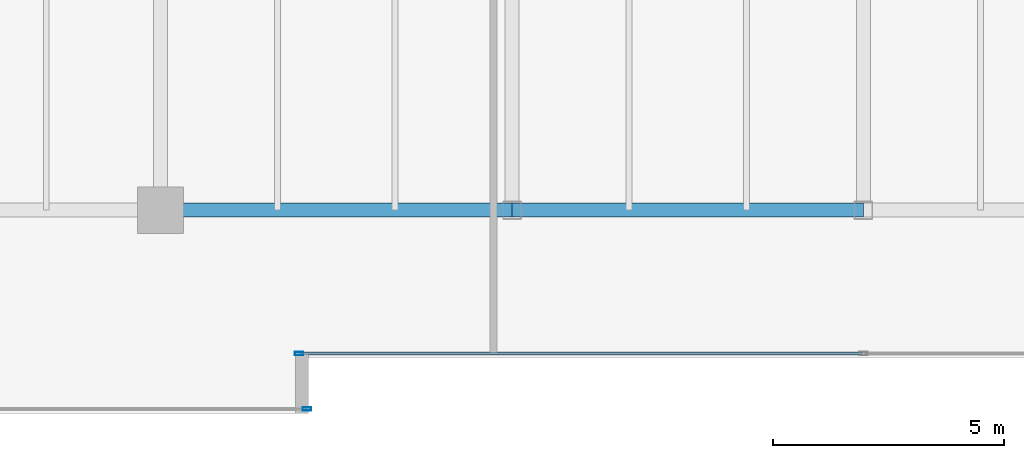
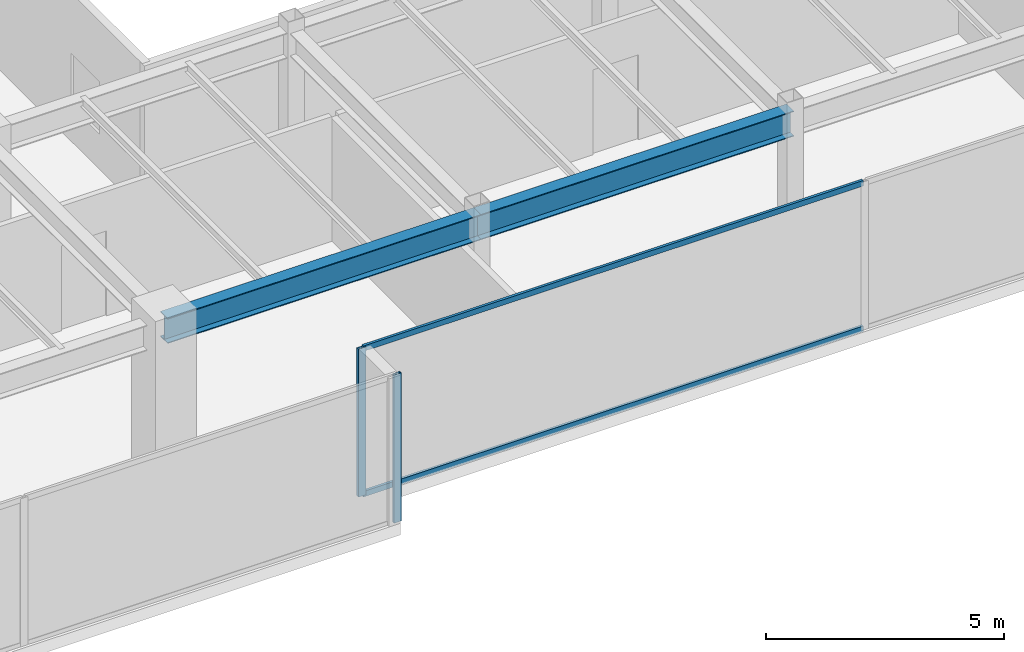
# One storey, part 7 of 33: 4 members, 2 beams, 2 elements without a shape of their own.
"""IFC4 building model written with IfcOpenShell, lengths in metres."""

from ifc_helpers import new_model, si_unit, direction, frame, origin, origin_2d, place, context, subcontext, project, spatial, hollow_rectangle, i_section, extrude, source, transform, mapped, material, layer, layer_set, material_profile, profile_set, type_object, type_shapes, element, aggregate, save


model = new_model("IFC4")

# Units and contexts
model_context = context("Model", 3, precision=1e-05, world=origin(), true_north=direction((0.0, 1.0)))
body_context = subcontext(model_context, "Body", "Model", "MODEL_VIEW")
ifc_project = project(units=[si_unit("LENGTHUNIT", "METRE"), si_unit("AREAUNIT", "SQUARE_METRE"), si_unit("VOLUMEUNIT", "CUBIC_METRE"), si_unit("PLANEANGLEUNIT", "RADIAN"), si_unit("MASSUNIT", "GRAM", prefix="KILO")], contexts=[model_context])

# Site, building, storey
site_placement = place(None, origin())
site = spatial("IfcSite", under=ifc_project, at=site_placement, CompositionType="ELEMENT")
building_placement = place(site_placement, origin())
building = spatial("IfcBuilding", under=site, at=building_placement, Name="Haelvirn Gate Laboratories", CompositionType="ELEMENT")
storey_placement = place(building_placement, frame((0.0, 0.0, 279.300048828125)))
storey = spatial("IfcBuildingStorey", under=building, at=storey_placement, Name="L67", CompositionType="ELEMENT", Elevation=279.300048828125)

# Beams
ifc_material_1 = material(Name="Steel SM355", Category="steel")
ifc_material_profile_1 = material_profile(ifc_material_1, i_section(OverallWidth=0.300048828125, OverallDepth=0.64990234375, WebThickness=0.012939453125, FlangeThickness=0.02197265625, at=origin_2d()), Name="H-650x300x13x22")
ifc_profile_set_1 = profile_set([ifc_material_profile_1], Name="Steel SM355")
beam_type = type_object("IfcBeamType", Name="BM-G-650", PredefinedType="BEAM", material=ifc_profile_set_1)
shared_shape_1 = source(origin(), body_context, "Body", "SweptSolid", [
    extrude(i_section(OverallWidth=0.300048828125, OverallDepth=0.64990234375, WebThickness=0.012939453125, FlangeThickness=0.02197265625, at=origin_2d()), origin(), (0.0, 0.0, 1.0), 7.60009765625),
])
beam_1_placement = place(storey_placement, frame((22.199951171875, 7.0, 3.474853515625), z_axis=(1.0, 0.0, 0.0), x_axis=(0.0, 1.0, 0.0)))
element("IfcBeam", 1, at=beam_1_placement, inside=storey, type_object=beam_type, Name="L67 Primary Girder Y7.0 (22.2-29.8)", PredefinedType="BEAM", context=body_context, shape_type="MappedRepresentation", body=[
    mapped(shared_shape_1, transform((0.0, 0.0, 0.0), scale=1.0)),
])
shared_shape_2 = source(origin(), body_context, "Body", "SweptSolid", [
    extrude(i_section(OverallWidth=0.300048828125, OverallDepth=0.64990234375, WebThickness=0.012939453125, FlangeThickness=0.02197265625, at=origin_2d()), origin(), (0.0, 0.0, 1.0), 7.599853515625),
])
type_shapes(beam_type, [shared_shape_1, shared_shape_2])
beam_2_placement = place(storey_placement, frame((29.800048828125, 7.0, 3.474853515625), z_axis=(1.0, 0.0, 0.0), x_axis=(0.0, 1.0, 0.0)))
element("IfcBeam", 2, at=beam_2_placement, inside=storey, type_object=beam_type, Name="L67 Primary Girder Y7.0 (29.8-37.4)", PredefinedType="BEAM", context=body_context, shape_type="MappedRepresentation", body=[
    mapped(shared_shape_2, transform((0.0, 0.0, 0.0), scale=1.0)),
])

# Curtain wall, members
ifc_material_2 = material(Name="Anodised bronze unitised aluminium & triple low-E glass", Category="aluminium")
ifc_layer = layer(ifc_material_2, 0.176025390625, Name="CW-SYS-4")
ifc_layer_set = layer_set([ifc_layer], Name="Anodised bronze unitised aluminium & triple low-E glass")
curtain_wall_type = type_object("IfcCurtainWallType", Name="CW-SYS-4", PredefinedType="NOTDEFINED", material=ifc_layer_set)
curtain_wall_1_placement = place(storey_placement, origin())
curtain_wall_1 = element("IfcCurtainWall", 3, at=curtain_wall_1_placement, inside=storey, type_object=curtain_wall_type, Name="L67 Unitised Curtain Wall CW-L67-P0-E02-1", PredefinedType="NOTDEFINED")
ifc_material_3 = material(Name="Extruded aluminium 6063-T6 (anodised bronze)", Category="aluminium")
ifc_material_profile_2 = material_profile(ifc_material_3, hollow_rectangle(XDim=0.06494140625, YDim=0.139892578125, WallThickness=0.00390625, at=origin_2d()), Name="CWT-140x65x4")
ifc_profile_set_2 = profile_set([ifc_material_profile_2], Name="Extruded aluminium 6063-T6 (anodised bronze)")
member_type_1 = type_object("IfcMemberType", Name="CWT-T140", PredefinedType="USERDEFINED", material=ifc_profile_set_2)
shared_shape_3 = source(origin(), body_context, "Body", "SweptSolid", [
    extrude(hollow_rectangle(XDim=0.06494140625, YDim=0.139892578125, WallThickness=0.00390625, at=origin_2d()), origin(), (0.0, 0.0, 1.0), 12.135009765625),
])
type_shapes(member_type_1, [shared_shape_3])
member_1_placement = place(storey_placement, frame((25.22998046875, 3.89990234375, 0.032470703125), z_axis=(1.0, 0.0, 0.0), x_axis=(0.0, 1.0, 0.0)))
member_1 = element("IfcMember", 4, at=member_1_placement, type_object=member_type_1, Name="CW4 transom 1.1", ObjectType="TRANSOM", PredefinedType="USERDEFINED", context=body_context, shape_type="MappedRepresentation", body=[
    mapped(shared_shape_3, transform((0.0, 0.0, 0.0), scale=1.0)),
])
member_2_placement = place(storey_placement, frame((25.22998046875, 3.89990234375, 3.767333984375), z_axis=(1.0, 0.0, 0.0), x_axis=(0.0, 1.0, 0.0)))
member_2 = element("IfcMember", 5, at=member_2_placement, type_object=member_type_1, Name="CW4 transom 1.2", ObjectType="TRANSOM", PredefinedType="USERDEFINED", context=body_context, shape_type="MappedRepresentation", body=[
    mapped(shared_shape_3, transform((0.0, 0.0, 0.0), scale=1.0)),
])

# Curtain wall, member
curtain_wall_2_placement = place(storey_placement, origin())
curtain_wall_2 = element("IfcCurtainWall", 6, at=curtain_wall_2_placement, inside=storey, type_object=curtain_wall_type, Name="L67 Unitised Curtain Wall CW-L67-P0-E00-1", PredefinedType="NOTDEFINED")
ifc_material_profile_3 = material_profile(ifc_material_3, hollow_rectangle(XDim=0.070068359375, YDim=0.179931640625, WallThickness=0.0048828125, at=origin_2d()), Name="CWM-180x70x5")
ifc_profile_set_3 = profile_set([ifc_material_profile_3], Name="Extruded aluminium 6063-T6 (anodised bronze)")
member_type_2 = type_object("IfcMemberType", Name="CWM-T180", PredefinedType="MULLION", material=ifc_profile_set_3)
shared_shape_4 = source(origin(), body_context, "Body", "SweptSolid", [
    extrude(hollow_rectangle(XDim=0.070068359375, YDim=0.179931640625, WallThickness=0.0048828125, at=origin_2d()), origin(), (0.0, 0.0, 1.0), 3.800048828125),
])
type_shapes(member_type_2, [shared_shape_4])
member_3_placement = place(storey_placement, frame((25.364990234375, 2.699951171875, 0.0), z_axis=(0.0, 0.0, 1.0), x_axis=(0.0, 1.0, 0.0)))
member_3 = element("IfcMember", 7, at=member_3_placement, type_object=member_type_2, Name="CW4 mullion 3", PredefinedType="MULLION", context=body_context, shape_type="MappedRepresentation", body=[
    mapped(shared_shape_4, transform((0.0, 0.0, 0.0), scale=1.0)),
])
aggregate(curtain_wall_2, [member_3])

# Member
member_4_placement = place(storey_placement, frame((25.195068359375, 3.89990234375, 0.0), z_axis=(0.0, 0.0, 1.0), x_axis=(0.0, 1.0, 0.0)))
member_4 = element("IfcMember", 8, at=member_4_placement, type_object=member_type_2, Name="CW4 mullion 1", PredefinedType="MULLION", context=body_context, shape_type="MappedRepresentation", body=[
    mapped(shared_shape_4, transform((0.0, 0.0, 0.0), scale=1.0)),
])

aggregate(curtain_wall_1, [member_4, member_1, member_2])

save(model, "model.ifc")
